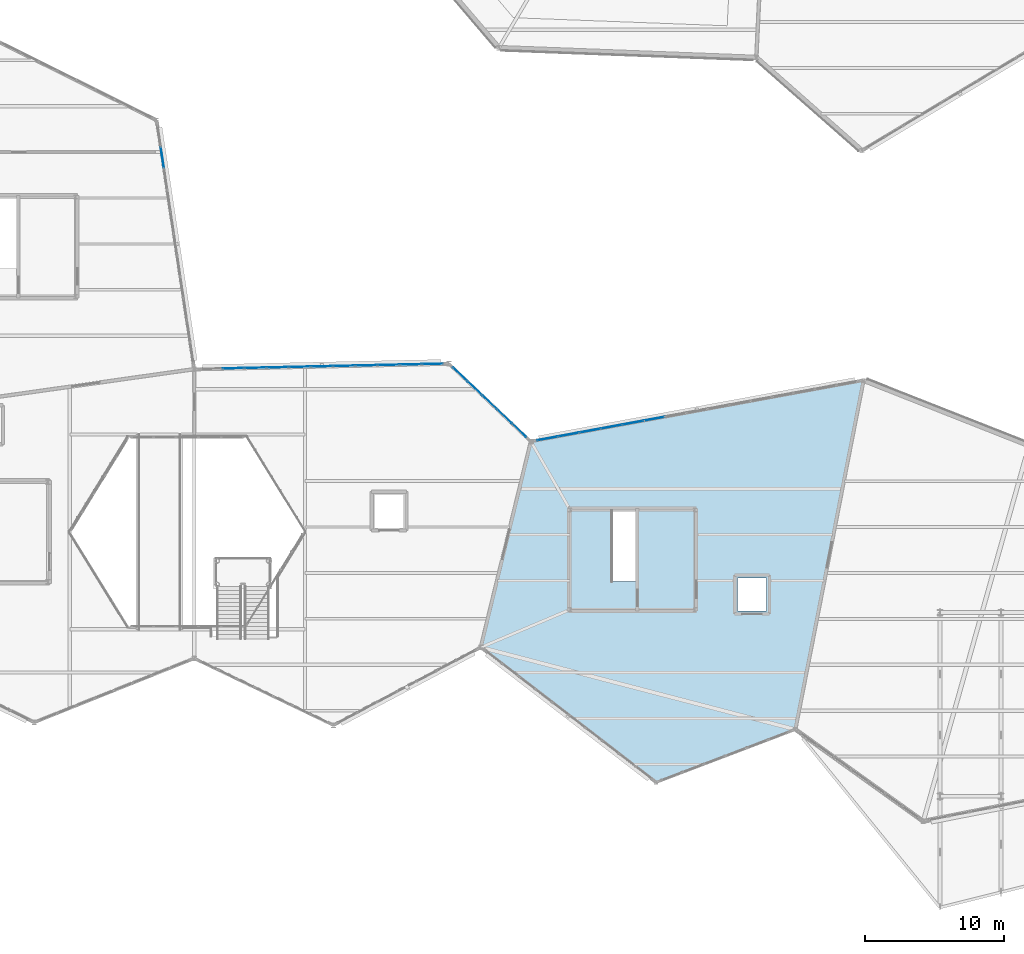
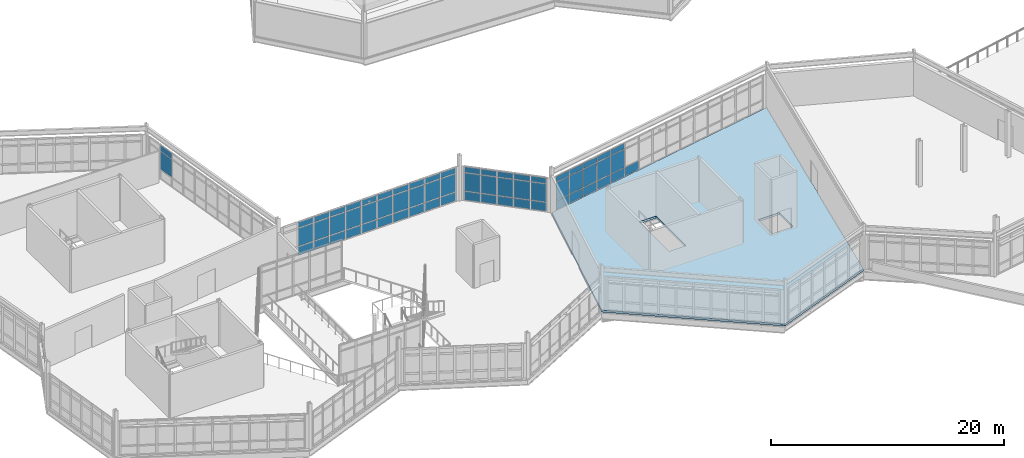
# One storey, part 49 of 76: 63 plates, 1 slab, 4 elements without a shape of their own.
"""IFC4 building model written with IfcOpenShell, lengths in metres."""

from ifc_helpers import new_model, si_unit, direction, frame, origin, origin_2d, place, context, subcontext, project, spatial, polyline, rectangle, outline, extrude, material, layer, layer_set, type_object, element, aggregate, save


model = new_model("IFC4")

# Units and contexts
model_context = context("Model", 3, precision=1e-05, world=origin(), true_north=direction((0.0, 1.0)))
body_context = subcontext(model_context, "Body", "Model", "MODEL_VIEW")
ifc_project = project(units=[si_unit("LENGTHUNIT", "METRE"), si_unit("AREAUNIT", "SQUARE_METRE"), si_unit("VOLUMEUNIT", "CUBIC_METRE"), si_unit("PLANEANGLEUNIT", "RADIAN"), si_unit("MASSUNIT", "GRAM", prefix="KILO")], contexts=[model_context])

# Site, building, storey
site_placement = place(None, origin())
site = spatial("IfcSite", under=ifc_project, at=site_placement, CompositionType="ELEMENT")
building_placement = place(site_placement, origin())
building = spatial("IfcBuilding", under=site, at=building_placement, Name="Tameran Prism Museum", CompositionType="ELEMENT")
storey_placement = place(building_placement, frame((0.0, 0.0, 15.0)))
storey = spatial("IfcBuildingStorey", under=building, at=storey_placement, Name="L03", CompositionType="ELEMENT", Elevation=15.0)

# Curtain wall, plates
ifc_material_1 = material(Name="Anodised Aluminium 6063-T6 and Cyclone Solar Glass", Category="aluminium")
curtain_wall_type_1 = type_object("IfcCurtainWallType", Name="CW-FAC-1734x362", PredefinedType="USERDEFINED", material=ifc_material_1)
curtain_wall_1_placement = place(storey_placement, origin())
curtain_wall_1 = element("IfcCurtainWall", 1, at=curtain_wall_1_placement, inside=storey, type_object=curtain_wall_type_1, Name="Unitised Curtain Wall CW-143", ObjectType="UNITISED CURTAIN WALL", PredefinedType="USERDEFINED")
ifc_material_2 = material(Name="Low-E Laminated Solar Glass", Category="glass")
ifc_layer_1 = layer(ifc_material_2, 0.028076171875)
ifc_layer_set_1 = layer_set([ifc_layer_1])
plate_type_1 = type_object("IfcPlateType", Name="CW-PNL-G28", PredefinedType="CURTAIN_PANEL", material=ifc_layer_set_1)
plate_1_placement = place(storey_placement, frame((75.204833984375, 63.41552734375, 1.032470703125), z_axis=(0.0, 0.0, 1.0), x_axis=(0.149166532852, -0.988812088052, 0.0)))
plate_1 = element("IfcPlate", 2, at=plate_1_placement, type_object=plate_type_1, Name="CW-143 panel 2.2", PredefinedType="CURTAIN_PANEL", context=body_context, shape_type="SweptSolid", body=[
    extrude(rectangle(XDim=1.51171875, YDim=0.028076171875, at=origin_2d()), origin(), (0.0, 0.0, 1.0), 1.875),
])
plate_2_placement = place(storey_placement, frame((75.204833984375, 63.41552734375, 2.972412109375), z_axis=(0.0, 0.0, 1.0), x_axis=(0.149166532852, -0.988812088052, 0.0)))
plate_2 = element("IfcPlate", 3, at=plate_2_placement, type_object=plate_type_1, Name="CW-143 panel 2.3", PredefinedType="CURTAIN_PANEL", context=body_context, shape_type="SweptSolid", body=[
    extrude(rectangle(XDim=1.51171875, YDim=0.028076171875, at=origin_2d()), origin(), (0.0, 0.0, 1.0), 0.58251953125),
])
aggregate(curtain_wall_1, [plate_1, plate_2])

ifc_material_3 = material(Name="Anodised Aluminium 6063-T6 and Cyclone Solar Glass", Category="aluminium")
curtain_wall_type_2 = type_object("IfcCurtainWallType", Name="CW-FAC-738x362", PredefinedType="USERDEFINED", material=ifc_material_3)
curtain_wall_2_placement = place(storey_placement, origin())
curtain_wall_2 = element("IfcCurtainWall", 4, at=curtain_wall_2_placement, inside=storey, type_object=curtain_wall_type_2, Name="Unitised Curtain Wall CW-140", ObjectType="UNITISED CURTAIN WALL", PredefinedType="USERDEFINED")
ifc_material_4 = material(Name="Cyclone Laminated Solar Glass", Category="glass")
ifc_layer_2 = layer(ifc_material_4, 0.031982421875)
ifc_layer_set_2 = layer_set([ifc_layer_2])
plate_type_2 = type_object("IfcPlateType", Name="CW-PNL-G32", PredefinedType="CURTAIN_PANEL", material=ifc_layer_set_2)
plate_3_placement = place(storey_placement, frame((96.6015625, 47.83935546875, 0.070068359375), z_axis=(0.0, 0.0, 1.0), x_axis=(0.725307438491, -0.688425100987, 0.0)))
plate_3 = element("IfcPlate", 5, at=plate_3_placement, type_object=plate_type_2, Name="CW-140 panel 1.1", PredefinedType="CURTAIN_PANEL", context=body_context, shape_type="SweptSolid", body=[
    extrude(rectangle(XDim=1.369873046875, YDim=0.031982421875, at=origin_2d()), origin(), (0.0, 0.0, 1.0), 0.89501953125),
])
plate_4_placement = place(storey_placement, frame((96.6015625, 47.83935546875, 1.034912109375), z_axis=(0.0, 0.0, 1.0), x_axis=(0.725307438491, -0.688425100987, 0.0)))
plate_4 = element("IfcPlate", 6, at=plate_4_placement, type_object=plate_type_2, Name="CW-140 panel 1.2", PredefinedType="CURTAIN_PANEL", context=body_context, shape_type="SweptSolid", body=[
    extrude(rectangle(XDim=1.369873046875, YDim=0.031982421875, at=origin_2d()), origin(), (0.0, 0.0, 1.0), 1.8701171875),
])
plate_5_placement = place(storey_placement, frame((96.6015625, 47.83935546875, 2.97509765625), z_axis=(0.0, 0.0, 1.0), x_axis=(0.725307438491, -0.688425100987, 0.0)))
plate_5 = element("IfcPlate", 7, at=plate_5_placement, type_object=plate_type_2, Name="CW-140 panel 1.3", PredefinedType="CURTAIN_PANEL", context=body_context, shape_type="SweptSolid", body=[
    extrude(rectangle(XDim=1.369873046875, YDim=0.031982421875, at=origin_2d()), origin(), (0.0, 0.0, 1.0), 0.574951171875),
])
plate_6_placement = place(storey_placement, frame((97.65869140625, 46.8359375, 0.070068359375), z_axis=(0.0, 0.0, 1.0), x_axis=(0.725307438491, -0.688425100987, 0.0)))
plate_6 = element("IfcPlate", 8, at=plate_6_placement, type_object=plate_type_2, Name="CW-140 panel 2.1", PredefinedType="CURTAIN_PANEL", context=body_context, shape_type="SweptSolid", body=[
    extrude(rectangle(XDim=1.405029296875, YDim=0.031982421875, at=origin_2d()), origin(), (0.0, 0.0, 1.0), 0.89501953125),
])
plate_7_placement = place(storey_placement, frame((97.65869140625, 46.8359375, 1.034912109375), z_axis=(0.0, 0.0, 1.0), x_axis=(0.725307438491, -0.688425100987, 0.0)))
plate_7 = element("IfcPlate", 9, at=plate_7_placement, type_object=plate_type_2, Name="CW-140 panel 2.2", PredefinedType="CURTAIN_PANEL", context=body_context, shape_type="SweptSolid", body=[
    extrude(rectangle(XDim=1.405029296875, YDim=0.031982421875, at=origin_2d()), origin(), (0.0, 0.0, 1.0), 1.8701171875),
])
plate_8_placement = place(storey_placement, frame((97.65869140625, 46.8359375, 2.97509765625), z_axis=(0.0, 0.0, 1.0), x_axis=(0.725307438491, -0.688425100987, 0.0)))
plate_8 = element("IfcPlate", 10, at=plate_8_placement, type_object=plate_type_2, Name="CW-140 panel 2.3", PredefinedType="CURTAIN_PANEL", context=body_context, shape_type="SweptSolid", body=[
    extrude(rectangle(XDim=1.405029296875, YDim=0.031982421875, at=origin_2d()), origin(), (0.0, 0.0, 1.0), 0.574951171875),
])
plate_9_placement = place(storey_placement, frame((98.728515625, 45.820556640625, 0.070068359375), z_axis=(0.0, 0.0, 1.0), x_axis=(0.725307438491, -0.688425100987, 0.0)))
plate_9 = element("IfcPlate", 11, at=plate_9_placement, type_object=plate_type_2, Name="CW-140 panel 3.1", PredefinedType="CURTAIN_PANEL", context=body_context, shape_type="SweptSolid", body=[
    extrude(rectangle(XDim=1.405029296875, YDim=0.031982421875, at=origin_2d()), origin(), (0.0, 0.0, 1.0), 0.89501953125),
])
plate_10_placement = place(storey_placement, frame((98.728515625, 45.820556640625, 1.034912109375), z_axis=(0.0, 0.0, 1.0), x_axis=(0.725307438491, -0.688425100987, 0.0)))
plate_10 = element("IfcPlate", 12, at=plate_10_placement, type_object=plate_type_2, Name="CW-140 panel 3.2", PredefinedType="CURTAIN_PANEL", context=body_context, shape_type="SweptSolid", body=[
    extrude(rectangle(XDim=1.405029296875, YDim=0.031982421875, at=origin_2d()), origin(), (0.0, 0.0, 1.0), 1.8701171875),
])
plate_11_placement = place(storey_placement, frame((98.728515625, 45.820556640625, 2.97509765625), z_axis=(0.0, 0.0, 1.0), x_axis=(0.725307438491, -0.688425100987, 0.0)))
plate_11 = element("IfcPlate", 13, at=plate_11_placement, type_object=plate_type_2, Name="CW-140 panel 3.3", PredefinedType="CURTAIN_PANEL", context=body_context, shape_type="SweptSolid", body=[
    extrude(rectangle(XDim=1.405029296875, YDim=0.031982421875, at=origin_2d()), origin(), (0.0, 0.0, 1.0), 0.574951171875),
])
plate_12_placement = place(storey_placement, frame((99.79833984375, 44.80517578125, 0.070068359375), z_axis=(0.0, 0.0, 1.0), x_axis=(0.725307438491, -0.688425100987, 0.0)))
plate_12 = element("IfcPlate", 14, at=plate_12_placement, type_object=plate_type_2, Name="CW-140 panel 4.1", PredefinedType="CURTAIN_PANEL", context=body_context, shape_type="SweptSolid", body=[
    extrude(rectangle(XDim=1.405029296875, YDim=0.031982421875, at=origin_2d()), origin(), (0.0, 0.0, 1.0), 0.89501953125),
])
plate_13_placement = place(storey_placement, frame((99.79833984375, 44.80517578125, 1.034912109375), z_axis=(0.0, 0.0, 1.0), x_axis=(0.725307438491, -0.688425100987, 0.0)))
plate_13 = element("IfcPlate", 15, at=plate_13_placement, type_object=plate_type_2, Name="CW-140 panel 4.2", PredefinedType="CURTAIN_PANEL", context=body_context, shape_type="SweptSolid", body=[
    extrude(rectangle(XDim=1.405029296875, YDim=0.031982421875, at=origin_2d()), origin(), (0.0, 0.0, 1.0), 1.8701171875),
])
plate_14_placement = place(storey_placement, frame((99.79833984375, 44.80517578125, 2.97509765625), z_axis=(0.0, 0.0, 1.0), x_axis=(0.725307438491, -0.688425100987, 0.0)))
plate_14 = element("IfcPlate", 16, at=plate_14_placement, type_object=plate_type_2, Name="CW-140 panel 4.3", PredefinedType="CURTAIN_PANEL", context=body_context, shape_type="SweptSolid", body=[
    extrude(rectangle(XDim=1.405029296875, YDim=0.031982421875, at=origin_2d()), origin(), (0.0, 0.0, 1.0), 0.574951171875),
])
plate_15_placement = place(storey_placement, frame((100.85546875, 43.8017578125, 0.070068359375), z_axis=(0.0, 0.0, 1.0), x_axis=(0.725307438491, -0.688425100987, 0.0)))
plate_15 = element("IfcPlate", 17, at=plate_15_placement, type_object=plate_type_2, Name="CW-140 panel 5.1", PredefinedType="CURTAIN_PANEL", context=body_context, shape_type="SweptSolid", body=[
    extrude(rectangle(XDim=1.369873046875, YDim=0.031982421875, at=origin_2d()), origin(), (0.0, 0.0, 1.0), 0.89501953125),
])
plate_16_placement = place(storey_placement, frame((100.85546875, 43.8017578125, 1.034912109375), z_axis=(0.0, 0.0, 1.0), x_axis=(0.725307438491, -0.688425100987, 0.0)))
plate_16 = element("IfcPlate", 18, at=plate_16_placement, type_object=plate_type_2, Name="CW-140 panel 5.2", PredefinedType="CURTAIN_PANEL", context=body_context, shape_type="SweptSolid", body=[
    extrude(rectangle(XDim=1.369873046875, YDim=0.031982421875, at=origin_2d()), origin(), (0.0, 0.0, 1.0), 1.8701171875),
])
plate_17_placement = place(storey_placement, frame((100.85546875, 43.8017578125, 2.97509765625), z_axis=(0.0, 0.0, 1.0), x_axis=(0.725307438491, -0.688425100987, 0.0)))
plate_17 = element("IfcPlate", 19, at=plate_17_placement, type_object=plate_type_2, Name="CW-140 panel 5.3", PredefinedType="CURTAIN_PANEL", context=body_context, shape_type="SweptSolid", body=[
    extrude(rectangle(XDim=1.369873046875, YDim=0.031982421875, at=origin_2d()), origin(), (0.0, 0.0, 1.0), 0.574951171875),
])
aggregate(curtain_wall_2, [plate_3, plate_4, plate_5, plate_6, plate_7, plate_8, plate_9, plate_10, plate_11, plate_12, plate_13, plate_14, plate_15, plate_16, plate_17])

ifc_material_5 = material(Name="Anodised Aluminium 6063-T6 and Cyclone Solar Glass", Category="aluminium")
curtain_wall_type_3 = type_object("IfcCurtainWallType", Name="CW-FAC-1754x362", PredefinedType="USERDEFINED", material=ifc_material_5)
curtain_wall_3_placement = place(storey_placement, origin())
curtain_wall_3 = element("IfcCurtainWall", 20, at=curtain_wall_3_placement, inside=storey, type_object=curtain_wall_type_3, Name="Unitised Curtain Wall CW-141", ObjectType="UNITISED CURTAIN WALL", PredefinedType="USERDEFINED")
plate_18_placement = place(storey_placement, frame((80.3017578125, 48.26123046875, 0.0751953125), z_axis=(0.0, 0.0, 1.0), x_axis=(0.999761684053, 0.021830600058, 0.0)))
plate_18 = element("IfcPlate", 21, at=plate_18_placement, type_object=plate_type_2, Name="CW-141 panel 2.1", PredefinedType="CURTAIN_PANEL", context=body_context, shape_type="SweptSolid", body=[
    extrude(rectangle(XDim=1.52001953125, YDim=0.031982421875, at=origin_2d()), origin(), (0.0, 0.0, 1.0), 0.887451171875),
])
plate_19_placement = place(storey_placement, frame((80.3017578125, 48.26123046875, 1.03759765625), z_axis=(0.0, 0.0, 1.0), x_axis=(0.999761684053, 0.021830600058, 0.0)))
plate_19 = element("IfcPlate", 22, at=plate_19_placement, type_object=plate_type_2, Name="CW-141 panel 2.2", PredefinedType="CURTAIN_PANEL", context=body_context, shape_type="SweptSolid", body=[
    extrude(rectangle(XDim=1.52001953125, YDim=0.031982421875, at=origin_2d()), origin(), (0.0, 0.0, 1.0), 1.864990234375),
])
plate_20_placement = place(storey_placement, frame((80.3017578125, 48.26123046875, 2.9775390625), z_axis=(0.0, 0.0, 1.0), x_axis=(0.999761684053, 0.021830600058, 0.0)))
plate_20 = element("IfcPlate", 23, at=plate_20_placement, type_object=plate_type_2, Name="CW-141 panel 2.3", PredefinedType="CURTAIN_PANEL", context=body_context, shape_type="SweptSolid", body=[
    extrude(rectangle(XDim=1.52001953125, YDim=0.031982421875, at=origin_2d()), origin(), (0.0, 0.0, 1.0), 0.5673828125),
])
plate_21_placement = place(storey_placement, frame((81.896484375, 48.296142578125, 0.0751953125), z_axis=(0.0, 0.0, 1.0), x_axis=(0.999761684053, 0.021830600058, 0.0)))
plate_21 = element("IfcPlate", 24, at=plate_21_placement, type_object=plate_type_2, Name="CW-141 panel 3.1", PredefinedType="CURTAIN_PANEL", context=body_context, shape_type="SweptSolid", body=[
    extrude(rectangle(XDim=1.52001953125, YDim=0.031982421875, at=origin_2d()), origin(), (0.0, 0.0, 1.0), 0.887451171875),
])
plate_22_placement = place(storey_placement, frame((81.896484375, 48.296142578125, 1.03759765625), z_axis=(0.0, 0.0, 1.0), x_axis=(0.999761684053, 0.021830600058, 0.0)))
plate_22 = element("IfcPlate", 25, at=plate_22_placement, type_object=plate_type_2, Name="CW-141 panel 3.2", PredefinedType="CURTAIN_PANEL", context=body_context, shape_type="SweptSolid", body=[
    extrude(rectangle(XDim=1.52001953125, YDim=0.031982421875, at=origin_2d()), origin(), (0.0, 0.0, 1.0), 1.864990234375),
])
plate_23_placement = place(storey_placement, frame((81.896484375, 48.296142578125, 2.9775390625), z_axis=(0.0, 0.0, 1.0), x_axis=(0.999761684053, 0.021830600058, 0.0)))
plate_23 = element("IfcPlate", 26, at=plate_23_placement, type_object=plate_type_2, Name="CW-141 panel 3.3", PredefinedType="CURTAIN_PANEL", context=body_context, shape_type="SweptSolid", body=[
    extrude(rectangle(XDim=1.52001953125, YDim=0.031982421875, at=origin_2d()), origin(), (0.0, 0.0, 1.0), 0.5673828125),
])
plate_24_placement = place(storey_placement, frame((83.490966796875, 48.330810546875, 0.0751953125), z_axis=(0.0, 0.0, 1.0), x_axis=(0.999761684053, 0.021830600058, 0.0)))
plate_24 = element("IfcPlate", 27, at=plate_24_placement, type_object=plate_type_2, Name="CW-141 panel 4.1", PredefinedType="CURTAIN_PANEL", context=body_context, shape_type="SweptSolid", body=[
    extrude(rectangle(XDim=1.52001953125, YDim=0.031982421875, at=origin_2d()), origin(), (0.0, 0.0, 1.0), 0.887451171875),
])
plate_25_placement = place(storey_placement, frame((83.490966796875, 48.330810546875, 1.03759765625), z_axis=(0.0, 0.0, 1.0), x_axis=(0.999761684053, 0.021830600058, 0.0)))
plate_25 = element("IfcPlate", 28, at=plate_25_placement, type_object=plate_type_2, Name="CW-141 panel 4.2", PredefinedType="CURTAIN_PANEL", context=body_context, shape_type="SweptSolid", body=[
    extrude(rectangle(XDim=1.52001953125, YDim=0.031982421875, at=origin_2d()), origin(), (0.0, 0.0, 1.0), 1.864990234375),
])
plate_26_placement = place(storey_placement, frame((83.490966796875, 48.330810546875, 2.9775390625), z_axis=(0.0, 0.0, 1.0), x_axis=(0.999761684053, 0.021830600058, 0.0)))
plate_26 = element("IfcPlate", 29, at=plate_26_placement, type_object=plate_type_2, Name="CW-141 panel 4.3", PredefinedType="CURTAIN_PANEL", context=body_context, shape_type="SweptSolid", body=[
    extrude(rectangle(XDim=1.52001953125, YDim=0.031982421875, at=origin_2d()), origin(), (0.0, 0.0, 1.0), 0.5673828125),
])
plate_27_placement = place(storey_placement, frame((85.08544921875, 48.36572265625, 0.0751953125), z_axis=(0.0, 0.0, 1.0), x_axis=(0.999761684053, 0.021830600058, 0.0)))
plate_27 = element("IfcPlate", 30, at=plate_27_placement, type_object=plate_type_2, Name="CW-141 panel 5.1", PredefinedType="CURTAIN_PANEL", context=body_context, shape_type="SweptSolid", body=[
    extrude(rectangle(XDim=1.52001953125, YDim=0.031982421875, at=origin_2d()), origin(), (0.0, 0.0, 1.0), 0.887451171875),
])
plate_28_placement = place(storey_placement, frame((85.08544921875, 48.36572265625, 1.03759765625), z_axis=(0.0, 0.0, 1.0), x_axis=(0.999761684053, 0.021830600058, 0.0)))
plate_28 = element("IfcPlate", 31, at=plate_28_placement, type_object=plate_type_2, Name="CW-141 panel 5.2", PredefinedType="CURTAIN_PANEL", context=body_context, shape_type="SweptSolid", body=[
    extrude(rectangle(XDim=1.52001953125, YDim=0.031982421875, at=origin_2d()), origin(), (0.0, 0.0, 1.0), 1.864990234375),
])
plate_29_placement = place(storey_placement, frame((85.08544921875, 48.36572265625, 2.9775390625), z_axis=(0.0, 0.0, 1.0), x_axis=(0.999761684053, 0.021830600058, 0.0)))
plate_29 = element("IfcPlate", 32, at=plate_29_placement, type_object=plate_type_2, Name="CW-141 panel 5.3", PredefinedType="CURTAIN_PANEL", context=body_context, shape_type="SweptSolid", body=[
    extrude(rectangle(XDim=1.52001953125, YDim=0.031982421875, at=origin_2d()), origin(), (0.0, 0.0, 1.0), 0.5673828125),
])
plate_30_placement = place(storey_placement, frame((86.679931640625, 48.400390625, 0.0751953125), z_axis=(0.0, 0.0, 1.0), x_axis=(0.999761684053, 0.021830600058, 0.0)))
plate_30 = element("IfcPlate", 33, at=plate_30_placement, type_object=plate_type_2, Name="CW-141 panel 6.1", PredefinedType="CURTAIN_PANEL", context=body_context, shape_type="SweptSolid", body=[
    extrude(rectangle(XDim=1.52001953125, YDim=0.031982421875, at=origin_2d()), origin(), (0.0, 0.0, 1.0), 0.887451171875),
])
plate_31_placement = place(storey_placement, frame((86.679931640625, 48.400390625, 1.03759765625), z_axis=(0.0, 0.0, 1.0), x_axis=(0.999761684053, 0.021830600058, 0.0)))
plate_31 = element("IfcPlate", 34, at=plate_31_placement, type_object=plate_type_2, Name="CW-141 panel 6.2", PredefinedType="CURTAIN_PANEL", context=body_context, shape_type="SweptSolid", body=[
    extrude(rectangle(XDim=1.52001953125, YDim=0.031982421875, at=origin_2d()), origin(), (0.0, 0.0, 1.0), 1.864990234375),
])
plate_32_placement = place(storey_placement, frame((86.679931640625, 48.400390625, 2.9775390625), z_axis=(0.0, 0.0, 1.0), x_axis=(0.999761684053, 0.021830600058, 0.0)))
plate_32 = element("IfcPlate", 35, at=plate_32_placement, type_object=plate_type_2, Name="CW-141 panel 6.3", PredefinedType="CURTAIN_PANEL", context=body_context, shape_type="SweptSolid", body=[
    extrude(rectangle(XDim=1.52001953125, YDim=0.031982421875, at=origin_2d()), origin(), (0.0, 0.0, 1.0), 0.5673828125),
])
plate_33_placement = place(storey_placement, frame((88.274658203125, 48.435302734375, 0.0751953125), z_axis=(0.0, 0.0, 1.0), x_axis=(0.999761684053, 0.021830600058, 0.0)))
plate_33 = element("IfcPlate", 36, at=plate_33_placement, type_object=plate_type_2, Name="CW-141 panel 7.1", PredefinedType="CURTAIN_PANEL", context=body_context, shape_type="SweptSolid", body=[
    extrude(rectangle(XDim=1.52001953125, YDim=0.031982421875, at=origin_2d()), origin(), (0.0, 0.0, 1.0), 0.887451171875),
])
plate_34_placement = place(storey_placement, frame((88.274658203125, 48.435302734375, 1.03759765625), z_axis=(0.0, 0.0, 1.0), x_axis=(0.999761684053, 0.021830600058, 0.0)))
plate_34 = element("IfcPlate", 37, at=plate_34_placement, type_object=plate_type_2, Name="CW-141 panel 7.2", PredefinedType="CURTAIN_PANEL", context=body_context, shape_type="SweptSolid", body=[
    extrude(rectangle(XDim=1.52001953125, YDim=0.031982421875, at=origin_2d()), origin(), (0.0, 0.0, 1.0), 1.864990234375),
])
plate_35_placement = place(storey_placement, frame((88.274658203125, 48.435302734375, 2.9775390625), z_axis=(0.0, 0.0, 1.0), x_axis=(0.999761684053, 0.021830600058, 0.0)))
plate_35 = element("IfcPlate", 38, at=plate_35_placement, type_object=plate_type_2, Name="CW-141 panel 7.3", PredefinedType="CURTAIN_PANEL", context=body_context, shape_type="SweptSolid", body=[
    extrude(rectangle(XDim=1.52001953125, YDim=0.031982421875, at=origin_2d()), origin(), (0.0, 0.0, 1.0), 0.5673828125),
])
plate_36_placement = place(storey_placement, frame((89.869140625, 48.47021484375, 0.0751953125), z_axis=(0.0, 0.0, 1.0), x_axis=(0.999761684053, 0.021830600058, 0.0)))
plate_36 = element("IfcPlate", 39, at=plate_36_placement, type_object=plate_type_2, Name="CW-141 panel 8.1", PredefinedType="CURTAIN_PANEL", context=body_context, shape_type="SweptSolid", body=[
    extrude(rectangle(XDim=1.52001953125, YDim=0.031982421875, at=origin_2d()), origin(), (0.0, 0.0, 1.0), 0.887451171875),
])
plate_37_placement = place(storey_placement, frame((89.869140625, 48.47021484375, 1.03759765625), z_axis=(0.0, 0.0, 1.0), x_axis=(0.999761684053, 0.021830600058, 0.0)))
plate_37 = element("IfcPlate", 40, at=plate_37_placement, type_object=plate_type_2, Name="CW-141 panel 8.2", PredefinedType="CURTAIN_PANEL", context=body_context, shape_type="SweptSolid", body=[
    extrude(rectangle(XDim=1.52001953125, YDim=0.031982421875, at=origin_2d()), origin(), (0.0, 0.0, 1.0), 1.864990234375),
])
plate_38_placement = place(storey_placement, frame((89.869140625, 48.47021484375, 2.9775390625), z_axis=(0.0, 0.0, 1.0), x_axis=(0.999761684053, 0.021830600058, 0.0)))
plate_38 = element("IfcPlate", 41, at=plate_38_placement, type_object=plate_type_2, Name="CW-141 panel 8.3", PredefinedType="CURTAIN_PANEL", context=body_context, shape_type="SweptSolid", body=[
    extrude(rectangle(XDim=1.52001953125, YDim=0.031982421875, at=origin_2d()), origin(), (0.0, 0.0, 1.0), 0.5673828125),
])
plate_39_placement = place(storey_placement, frame((91.463623046875, 48.5048828125, 0.0751953125), z_axis=(0.0, 0.0, 1.0), x_axis=(0.999761684053, 0.021830600058, 0.0)))
plate_39 = element("IfcPlate", 42, at=plate_39_placement, type_object=plate_type_2, Name="CW-141 panel 9.1", PredefinedType="CURTAIN_PANEL", context=body_context, shape_type="SweptSolid", body=[
    extrude(rectangle(XDim=1.52001953125, YDim=0.031982421875, at=origin_2d()), origin(), (0.0, 0.0, 1.0), 0.887451171875),
])
plate_40_placement = place(storey_placement, frame((91.463623046875, 48.5048828125, 1.03759765625), z_axis=(0.0, 0.0, 1.0), x_axis=(0.999761684053, 0.021830600058, 0.0)))
plate_40 = element("IfcPlate", 43, at=plate_40_placement, type_object=plate_type_2, Name="CW-141 panel 9.2", PredefinedType="CURTAIN_PANEL", context=body_context, shape_type="SweptSolid", body=[
    extrude(rectangle(XDim=1.52001953125, YDim=0.031982421875, at=origin_2d()), origin(), (0.0, 0.0, 1.0), 1.864990234375),
])
plate_41_placement = place(storey_placement, frame((91.463623046875, 48.5048828125, 2.9775390625), z_axis=(0.0, 0.0, 1.0), x_axis=(0.999761684053, 0.021830600058, 0.0)))
plate_41 = element("IfcPlate", 44, at=plate_41_placement, type_object=plate_type_2, Name="CW-141 panel 9.3", PredefinedType="CURTAIN_PANEL", context=body_context, shape_type="SweptSolid", body=[
    extrude(rectangle(XDim=1.52001953125, YDim=0.031982421875, at=origin_2d()), origin(), (0.0, 0.0, 1.0), 0.5673828125),
])
plate_42_placement = place(storey_placement, frame((93.05810546875, 48.539794921875, 0.0751953125), z_axis=(0.0, 0.0, 1.0), x_axis=(0.999761684053, 0.021830600058, 0.0)))
plate_42 = element("IfcPlate", 45, at=plate_42_placement, type_object=plate_type_2, Name="CW-141 panel 10.1", PredefinedType="CURTAIN_PANEL", context=body_context, shape_type="SweptSolid", body=[
    extrude(rectangle(XDim=1.52001953125, YDim=0.031982421875, at=origin_2d()), origin(), (0.0, 0.0, 1.0), 0.887451171875),
])
plate_43_placement = place(storey_placement, frame((93.05810546875, 48.539794921875, 1.03759765625), z_axis=(0.0, 0.0, 1.0), x_axis=(0.999761684053, 0.021830600058, 0.0)))
plate_43 = element("IfcPlate", 46, at=plate_43_placement, type_object=plate_type_2, Name="CW-141 panel 10.2", PredefinedType="CURTAIN_PANEL", context=body_context, shape_type="SweptSolid", body=[
    extrude(rectangle(XDim=1.52001953125, YDim=0.031982421875, at=origin_2d()), origin(), (0.0, 0.0, 1.0), 1.864990234375),
])
plate_44_placement = place(storey_placement, frame((93.05810546875, 48.539794921875, 2.9775390625), z_axis=(0.0, 0.0, 1.0), x_axis=(0.999761684053, 0.021830600058, 0.0)))
plate_44 = element("IfcPlate", 47, at=plate_44_placement, type_object=plate_type_2, Name="CW-141 panel 10.3", PredefinedType="CURTAIN_PANEL", context=body_context, shape_type="SweptSolid", body=[
    extrude(rectangle(XDim=1.52001953125, YDim=0.031982421875, at=origin_2d()), origin(), (0.0, 0.0, 1.0), 0.5673828125),
])
plate_45_placement = place(storey_placement, frame((94.634033203125, 48.57421875, 0.0751953125), z_axis=(0.0, 0.0, 1.0), x_axis=(0.999761684053, 0.021830600058, 0.0)))
plate_45 = element("IfcPlate", 48, at=plate_45_placement, type_object=plate_type_2, Name="CW-141 panel 11.1", PredefinedType="CURTAIN_PANEL", context=body_context, shape_type="SweptSolid", body=[
    extrude(rectangle(XDim=1.482421875, YDim=0.031982421875, at=origin_2d()), origin(), (0.0, 0.0, 1.0), 0.887451171875),
])
plate_46_placement = place(storey_placement, frame((94.634033203125, 48.57421875, 1.03759765625), z_axis=(0.0, 0.0, 1.0), x_axis=(0.999761684053, 0.021830600058, 0.0)))
plate_46 = element("IfcPlate", 49, at=plate_46_placement, type_object=plate_type_2, Name="CW-141 panel 11.2", PredefinedType="CURTAIN_PANEL", context=body_context, shape_type="SweptSolid", body=[
    extrude(rectangle(XDim=1.482421875, YDim=0.031982421875, at=origin_2d()), origin(), (0.0, 0.0, 1.0), 1.864990234375),
])
plate_47_placement = place(storey_placement, frame((94.634033203125, 48.57421875, 2.9775390625), z_axis=(0.0, 0.0, 1.0), x_axis=(0.999761684053, 0.021830600058, 0.0)))
plate_47 = element("IfcPlate", 50, at=plate_47_placement, type_object=plate_type_2, Name="CW-141 panel 11.3", PredefinedType="CURTAIN_PANEL", context=body_context, shape_type="SweptSolid", body=[
    extrude(rectangle(XDim=1.482421875, YDim=0.031982421875, at=origin_2d()), origin(), (0.0, 0.0, 1.0), 0.5673828125),
])
aggregate(curtain_wall_3, [plate_18, plate_19, plate_20, plate_21, plate_22, plate_23, plate_24, plate_25, plate_26, plate_27, plate_28, plate_29, plate_30, plate_31, plate_32, plate_33, plate_34, plate_35, plate_36, plate_37, plate_38, plate_39, plate_40, plate_41, plate_42, plate_43, plate_44, plate_45, plate_46, plate_47])

ifc_material_6 = material(Name="Anodised Aluminium 6063-T6 and Cyclone Solar Glass", Category="aluminium")
curtain_wall_type_4 = type_object("IfcCurtainWallType", Name="CW-FAC-2348x362", PredefinedType="USERDEFINED", material=ifc_material_6)
curtain_wall_4_placement = place(storey_placement, origin())
curtain_wall_4 = element("IfcCurtainWall", 51, at=curtain_wall_4_placement, inside=storey, type_object=curtain_wall_type_4, Name="Unitised Curtain Wall CW-147", ObjectType="UNITISED CURTAIN WALL", PredefinedType="USERDEFINED")
plate_48_placement = place(storey_placement, frame((102.888671875, 43.21875, 0.06494140625), z_axis=(0.0, 0.0, 1.0), x_axis=(0.98347155585, 0.181062693106, 0.0)))
plate_48 = element("IfcPlate", 52, at=plate_48_placement, type_object=plate_type_2, Name="CW-147 panel 1.1", PredefinedType="CURTAIN_PANEL", context=body_context, shape_type="SweptSolid", body=[
    extrude(rectangle(XDim=1.4677734375, YDim=0.031982421875, at=origin_2d()), origin(), (0.0, 0.0, 1.0), 0.902587890625),
])
plate_49_placement = place(storey_placement, frame((102.888671875, 43.21875, 1.032470703125), z_axis=(0.0, 0.0, 1.0), x_axis=(0.98347155585, 0.181062693106, 0.0)))
plate_49 = element("IfcPlate", 53, at=plate_49_placement, type_object=plate_type_2, Name="CW-147 panel 1.2", PredefinedType="CURTAIN_PANEL", context=body_context, shape_type="SweptSolid", body=[
    extrude(rectangle(XDim=1.4677734375, YDim=0.031982421875, at=origin_2d()), origin(), (0.0, 0.0, 1.0), 1.875),
])
plate_50_placement = place(storey_placement, frame((102.888671875, 43.21875, 2.972412109375), z_axis=(0.0, 0.0, 1.0), x_axis=(0.98347155585, 0.181062693106, 0.0)))
plate_50 = element("IfcPlate", 54, at=plate_50_placement, type_object=plate_type_2, Name="CW-147 panel 1.3", PredefinedType="CURTAIN_PANEL", context=body_context, shape_type="SweptSolid", body=[
    extrude(rectangle(XDim=1.4677734375, YDim=0.031982421875, at=origin_2d()), origin(), (0.0, 0.0, 1.0), 0.58251953125),
])
plate_51_placement = place(storey_placement, frame((104.412109375, 43.4990234375, 0.06494140625), z_axis=(0.0, 0.0, 1.0), x_axis=(0.98347155585, 0.181062693106, 0.0)))
plate_51 = element("IfcPlate", 55, at=plate_51_placement, type_object=plate_type_2, Name="CW-147 panel 2.1", PredefinedType="CURTAIN_PANEL", context=body_context, shape_type="SweptSolid", body=[
    extrude(rectangle(XDim=1.500244140625, YDim=0.031982421875, at=origin_2d()), origin(), (0.0, 0.0, 1.0), 0.902587890625),
])
plate_52_placement = place(storey_placement, frame((104.412109375, 43.4990234375, 1.032470703125), z_axis=(0.0, 0.0, 1.0), x_axis=(0.98347155585, 0.181062693106, 0.0)))
plate_52 = element("IfcPlate", 56, at=plate_52_placement, type_object=plate_type_2, Name="CW-147 panel 2.2", PredefinedType="CURTAIN_PANEL", context=body_context, shape_type="SweptSolid", body=[
    extrude(rectangle(XDim=1.500244140625, YDim=0.031982421875, at=origin_2d()), origin(), (0.0, 0.0, 1.0), 1.875),
])
plate_53_placement = place(storey_placement, frame((104.412109375, 43.4990234375, 2.972412109375), z_axis=(0.0, 0.0, 1.0), x_axis=(0.98347155585, 0.181062693106, 0.0)))
plate_53 = element("IfcPlate", 57, at=plate_53_placement, type_object=plate_type_2, Name="CW-147 panel 2.3", PredefinedType="CURTAIN_PANEL", context=body_context, shape_type="SweptSolid", body=[
    extrude(rectangle(XDim=1.500244140625, YDim=0.031982421875, at=origin_2d()), origin(), (0.0, 0.0, 1.0), 0.58251953125),
])
plate_54_placement = place(storey_placement, frame((105.951416015625, 43.782470703125, 0.06494140625), z_axis=(0.0, 0.0, 1.0), x_axis=(0.98347155585, 0.181062693106, 0.0)))
plate_54 = element("IfcPlate", 58, at=plate_54_placement, type_object=plate_type_2, Name="CW-147 panel 3.1", PredefinedType="CURTAIN_PANEL", context=body_context, shape_type="SweptSolid", body=[
    extrude(rectangle(XDim=1.500244140625, YDim=0.031982421875, at=origin_2d()), origin(), (0.0, 0.0, 1.0), 0.902587890625),
])
plate_55_placement = place(storey_placement, frame((105.951416015625, 43.782470703125, 1.032470703125), z_axis=(0.0, 0.0, 1.0), x_axis=(0.98347155585, 0.181062693106, 0.0)))
plate_55 = element("IfcPlate", 59, at=plate_55_placement, type_object=plate_type_2, Name="CW-147 panel 3.2", PredefinedType="CURTAIN_PANEL", context=body_context, shape_type="SweptSolid", body=[
    extrude(rectangle(XDim=1.500244140625, YDim=0.031982421875, at=origin_2d()), origin(), (0.0, 0.0, 1.0), 1.875),
])
plate_56_placement = place(storey_placement, frame((105.951416015625, 43.782470703125, 2.972412109375), z_axis=(0.0, 0.0, 1.0), x_axis=(0.98347155585, 0.181062693106, 0.0)))
plate_56 = element("IfcPlate", 60, at=plate_56_placement, type_object=plate_type_2, Name="CW-147 panel 3.3", PredefinedType="CURTAIN_PANEL", context=body_context, shape_type="SweptSolid", body=[
    extrude(rectangle(XDim=1.500244140625, YDim=0.031982421875, at=origin_2d()), origin(), (0.0, 0.0, 1.0), 0.58251953125),
])
plate_57_placement = place(storey_placement, frame((107.49072265625, 44.06591796875, 0.06494140625), z_axis=(0.0, 0.0, 1.0), x_axis=(0.98347155585, 0.181062693106, 0.0)))
plate_57 = element("IfcPlate", 61, at=plate_57_placement, type_object=plate_type_2, Name="CW-147 panel 4.1", PredefinedType="CURTAIN_PANEL", context=body_context, shape_type="SweptSolid", body=[
    extrude(rectangle(XDim=1.500244140625, YDim=0.031982421875, at=origin_2d()), origin(), (0.0, 0.0, 1.0), 0.902587890625),
])
plate_58_placement = place(storey_placement, frame((107.49072265625, 44.06591796875, 1.032470703125), z_axis=(0.0, 0.0, 1.0), x_axis=(0.98347155585, 0.181062693106, 0.0)))
plate_58 = element("IfcPlate", 62, at=plate_58_placement, type_object=plate_type_2, Name="CW-147 panel 4.2", PredefinedType="CURTAIN_PANEL", context=body_context, shape_type="SweptSolid", body=[
    extrude(rectangle(XDim=1.500244140625, YDim=0.031982421875, at=origin_2d()), origin(), (0.0, 0.0, 1.0), 1.875),
])
plate_59_placement = place(storey_placement, frame((107.49072265625, 44.06591796875, 2.972412109375), z_axis=(0.0, 0.0, 1.0), x_axis=(0.98347155585, 0.181062693106, 0.0)))
plate_59 = element("IfcPlate", 63, at=plate_59_placement, type_object=plate_type_2, Name="CW-147 panel 4.3", PredefinedType="CURTAIN_PANEL", context=body_context, shape_type="SweptSolid", body=[
    extrude(rectangle(XDim=1.500244140625, YDim=0.031982421875, at=origin_2d()), origin(), (0.0, 0.0, 1.0), 0.58251953125),
])
plate_60_placement = place(storey_placement, frame((109.030029296875, 44.349365234375, 0.06494140625), z_axis=(0.0, 0.0, 1.0), x_axis=(0.98347155585, 0.181062693106, 0.0)))
plate_60 = element("IfcPlate", 64, at=plate_60_placement, type_object=plate_type_2, Name="CW-147 panel 5.1", PredefinedType="CURTAIN_PANEL", context=body_context, shape_type="SweptSolid", body=[
    extrude(rectangle(XDim=1.500244140625, YDim=0.031982421875, at=origin_2d()), origin(), (0.0, 0.0, 1.0), 0.902587890625),
])
plate_61_placement = place(storey_placement, frame((109.030029296875, 44.349365234375, 1.032470703125), z_axis=(0.0, 0.0, 1.0), x_axis=(0.98347155585, 0.181062693106, 0.0)))
plate_61 = element("IfcPlate", 65, at=plate_61_placement, type_object=plate_type_2, Name="CW-147 panel 5.2", PredefinedType="CURTAIN_PANEL", context=body_context, shape_type="SweptSolid", body=[
    extrude(rectangle(XDim=1.500244140625, YDim=0.031982421875, at=origin_2d()), origin(), (0.0, 0.0, 1.0), 1.875),
])
plate_62_placement = place(storey_placement, frame((109.030029296875, 44.349365234375, 2.972412109375), z_axis=(0.0, 0.0, 1.0), x_axis=(0.98347155585, 0.181062693106, 0.0)))
plate_62 = element("IfcPlate", 66, at=plate_62_placement, type_object=plate_type_2, Name="CW-147 panel 5.3", PredefinedType="CURTAIN_PANEL", context=body_context, shape_type="SweptSolid", body=[
    extrude(rectangle(XDim=1.500244140625, YDim=0.031982421875, at=origin_2d()), origin(), (0.0, 0.0, 1.0), 0.58251953125),
])
plate_63_placement = place(storey_placement, frame((110.5693359375, 44.6328125, 0.06494140625), z_axis=(0.0, 0.0, 1.0), x_axis=(0.98347155585, 0.181062693106, 0.0)))
plate_63 = element("IfcPlate", 67, at=plate_63_placement, type_object=plate_type_2, Name="CW-147 panel 6.1", PredefinedType="CURTAIN_PANEL", context=body_context, shape_type="SweptSolid", body=[
    extrude(rectangle(XDim=1.500244140625, YDim=0.031982421875, at=origin_2d()), origin(), (0.0, 0.0, 1.0), 0.902587890625),
])
aggregate(curtain_wall_4, [plate_48, plate_49, plate_50, plate_51, plate_52, plate_53, plate_54, plate_55, plate_56, plate_57, plate_58, plate_59, plate_60, plate_61, plate_62, plate_63])

# Slab
ifc_material_7 = material(Name="Concrete N32 (32 MPa)", Category="concrete")
ifc_layer_3 = layer(ifc_material_7, 0.219970703125)
ifc_layer_set_3 = layer_set([ifc_layer_3])
slab_type = type_object("IfcSlabType", Name="SL-FLR-220", PredefinedType="FLOOR", material=ifc_layer_set_3)
slab_placement = place(storey_placement, frame((0.0, 0.0, -0.219970703125)))
element("IfcSlab", 68, at=slab_placement, inside=storey, type_object=slab_type, Name="Floor Slab FS-P08-L03", PredefinedType="FLOOR", context=body_context, shape_type="SweptSolid", body=[
    extrude(outline(polyline([(101.699951171875, 43.0), (125.60009765625, 47.39990234375), (120.699951171875, 22.300048828125), (110.699951171875, 18.5), (98.10009765625, 28.199951171875), (101.699951171875, 43.0)]), holes=[polyline([(118.64990234375, 30.800048828125), (118.64990234375, 33.199951171875), (116.550048828125, 33.199951171875), (116.550048828125, 30.800048828125), (118.64990234375, 30.800048828125)]), polyline([(109.219970703125, 32.93994140625), (109.219970703125, 38.050048828125), (107.550048828125, 38.050048828125), (107.550048828125, 32.93994140625), (109.219970703125, 32.93994140625)])]), origin(), (0.0, 0.0, 1.0), 0.219970703125),
])

save(model, "model.ifc")
